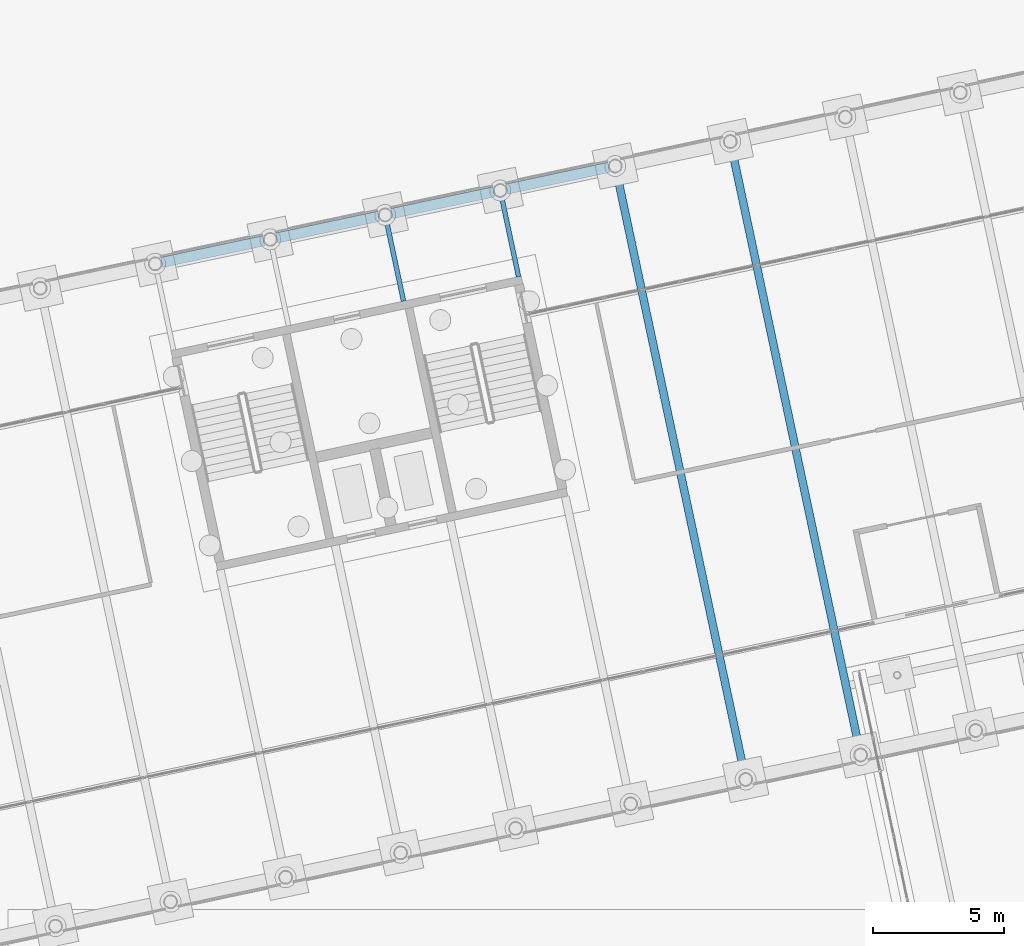
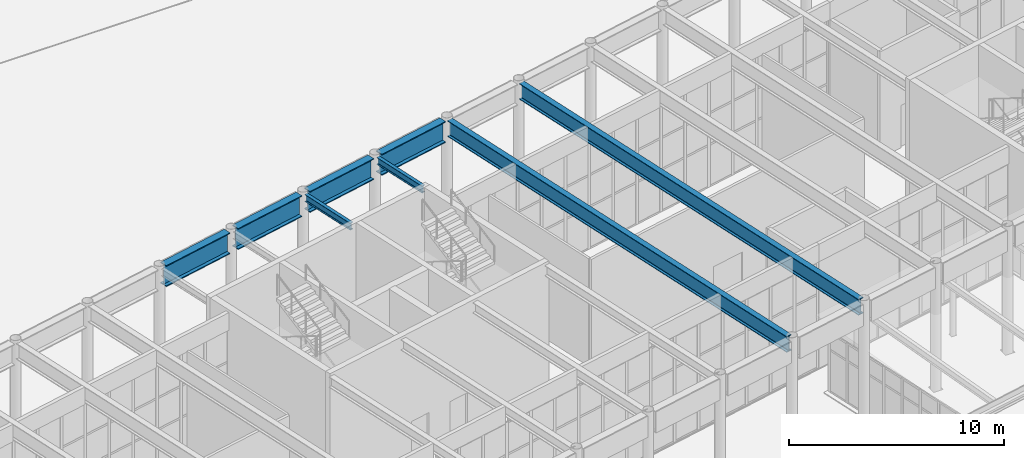
# One storey, part 70 of 239: 8 beams.
"""IFC4 building model written with IfcOpenShell, lengths in metres."""

from ifc_helpers import new_model, si_unit, direction, frame, origin, origin_2d, place, context, subcontext, project, spatial, i_section, extrude, material, material_profile, profile_set, type_object, element, save


model = new_model("IFC4")

# Units and contexts
model_context = context("Model", 3, precision=1e-05, world=origin(), true_north=direction((0.0, 1.0)))
body_context = subcontext(model_context, "Body", "Model", "MODEL_VIEW")
ifc_project = project(units=[si_unit("LENGTHUNIT", "METRE"), si_unit("AREAUNIT", "SQUARE_METRE"), si_unit("VOLUMEUNIT", "CUBIC_METRE"), si_unit("PLANEANGLEUNIT", "RADIAN"), si_unit("MASSUNIT", "GRAM", prefix="KILO")], contexts=[model_context])

# Site, building, storey
site_placement = place(None, origin())
site = spatial("IfcSite", under=ifc_project, at=site_placement, CompositionType="ELEMENT")
building_placement = place(site_placement, origin())
building = spatial("IfcBuilding", under=site, at=building_placement, Name="Okhra Congress Centre", CompositionType="ELEMENT")
storey_placement = place(building_placement, origin())
storey = spatial("IfcBuildingStorey", under=building, at=storey_placement, Name="L00", CompositionType="ELEMENT", Elevation=0.0)

# Beams
ifc_material = material(Name="Steel S355J2", Category="steel")
ifc_material_profile_1 = material_profile(ifc_material, i_section(OverallWidth=0.300048828125, OverallDepth=0.89990234375, WebThickness=0.0185546875, FlangeThickness=0.034912109375, FilletRadius=0.030029296875, at=origin_2d()), Name="HE 900 B")
ifc_profile_set_1 = profile_set([ifc_material_profile_1], Name="Steel S355J2")
beam_type_1 = type_object("IfcBeamType", Name="Floor beam HE 900 B", PredefinedType="BEAM", material=ifc_profile_set_1)
for number, where, z_axis, x_axis, name in (
    (1, (118.191162109375, 39.167724609375, 6.60009765625), (-0.20791307081, 0.978147307406, 0.0), (-0.978147307406, -0.20791307081, 0.0), "Floor beam 13.1"),
    (2, (122.5927734375, 40.103271484375, 6.60009765625), (-0.20791307081, 0.978147307406, 0.0), (-0.978147307406, -0.20791307081, 0.0), "Floor beam 14.1"),
):
    element("IfcBeam", number, at=place(storey_placement, frame(where, z_axis=z_axis, x_axis=x_axis)), inside=storey, type_object=beam_type_1, Name=name, PredefinedType="BEAM", context=body_context, shape_type="SweptSolid", body=[
        extrude(i_section(OverallWidth=0.300048828125, OverallDepth=0.89990234375, WebThickness=0.0185546875, FlangeThickness=0.034912109375, FilletRadius=0.030029296875, at=origin_2d()), origin(), (0.0, 0.0, 1.0), 23.599853515625),
    ])
ifc_material_profile_2 = material_profile(ifc_material, i_section(OverallWidth=0.179931640625, OverallDepth=0.39990234375, WebThickness=0.008544921875, FlangeThickness=0.013427734375, FilletRadius=0.02099609375, at=origin_2d()), Name="IPE 400")
ifc_profile_set_2 = profile_set([ifc_material_profile_2], Name="Steel S355J2")
beam_type_2 = type_object("IfcBeamType", Name="Floor beam stub IPE 400", PredefinedType="BEAM", material=ifc_profile_set_2)
for number, where, z_axis, x_axis, name in (
    (3, (105.14111328125, 57.275146484375, 6.85009765625), (-0.207916691923, 0.978146537703, 0.0), (-0.978146537703, -0.207916691923, 0.0), "Floor beam 11.2"),
    (4, (109.542724609375, 58.210693359375, 6.85009765625), (-0.207916691923, 0.978146537703, 0.0), (-0.978146537703, -0.207916691923, 0.0), "Floor beam 12.2"),
):
    element("IfcBeam", number, at=place(storey_placement, frame(where, z_axis=z_axis, x_axis=x_axis)), inside=storey, type_object=beam_type_2, Name=name, PredefinedType="BEAM", context=body_context, shape_type="SweptSolid", body=[
        extrude(i_section(OverallWidth=0.179931640625, OverallDepth=0.39990234375, WebThickness=0.008544921875, FlangeThickness=0.013427734375, FilletRadius=0.02099609375, at=origin_2d()), origin(), (0.0, 0.0, 1.0), 3.175048828125),
    ])
ifc_material_profile_3 = material_profile(ifc_material, i_section(OverallWidth=0.39990234375, OverallDepth=1.199951171875, WebThickness=0.02490234375, FlangeThickness=0.050048828125, at=origin_2d()), Name="Plate girder 1200x400")
ifc_profile_set_3 = profile_set([ifc_material_profile_3], Name="Steel S355J2")
beam_type_3 = type_object("IfcBeamType", Name="Perimeter plate girder 1200x400", PredefinedType="BEAM", material=ifc_profile_set_3)
for number, where, z_axis, x_axis, name in (
    (5, (95.884521484375, 58.758056640625, 6.449951171875), (0.978155431297, 0.207874847504, 0.0), (-0.207874847504, 0.978155431297, 0.0), "Perimeter girder N7"),
    (6, (100.2861328125, 59.693603515625, 6.449951171875), (0.978142994281, 0.207933361295, 0.0), (-0.207933361295, 0.978142994281, 0.0), "Perimeter girder N8"),
):
    element("IfcBeam", number, at=place(storey_placement, frame(where, z_axis=z_axis, x_axis=x_axis)), inside=storey, type_object=beam_type_3, Name=name, PredefinedType="BEAM", context=body_context, shape_type="SweptSolid", body=[
        extrude(i_section(OverallWidth=0.39990234375, OverallDepth=1.199951171875, WebThickness=0.02490234375, FlangeThickness=0.050048828125, at=origin_2d()), origin(), (0.0, 0.0, 1.0), 3.991943359375),
    ])
beam_1_placement = place(storey_placement, frame((104.68798828125, 60.629150390625, 6.449951171875), z_axis=(0.978140349848, 0.20794580063, 0.0), x_axis=(-0.20794580063, 0.978140349848, 0.0)))
element("IfcBeam", 7, at=beam_1_placement, inside=storey, type_object=beam_type_3, Name="Perimeter girder N9", PredefinedType="BEAM", context=body_context, shape_type="SweptSolid", body=[
    extrude(i_section(OverallWidth=0.39990234375, OverallDepth=1.199951171875, WebThickness=0.02490234375, FlangeThickness=0.050048828125, at=origin_2d()), origin(), (0.0, 0.0, 1.0), 3.99169921875),
])
beam_2_placement = place(storey_placement, frame((109.089599609375, 61.56494140625, 6.449951171875), z_axis=(0.978155431297, 0.207874847504, 0.0), x_axis=(-0.207874847504, 0.978155431297, 0.0)))
element("IfcBeam", 8, at=beam_2_placement, inside=storey, type_object=beam_type_3, Name="Perimeter girder N10", PredefinedType="BEAM", context=body_context, shape_type="SweptSolid", body=[
    extrude(i_section(OverallWidth=0.39990234375, OverallDepth=1.199951171875, WebThickness=0.02490234375, FlangeThickness=0.050048828125, at=origin_2d()), origin(), (0.0, 0.0, 1.0), 3.991943359375),
])

save(model, "model.ifc")
